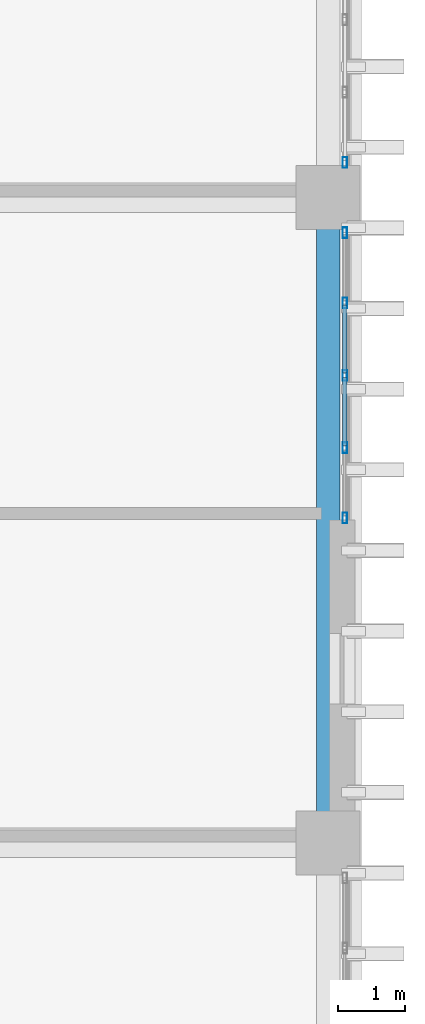
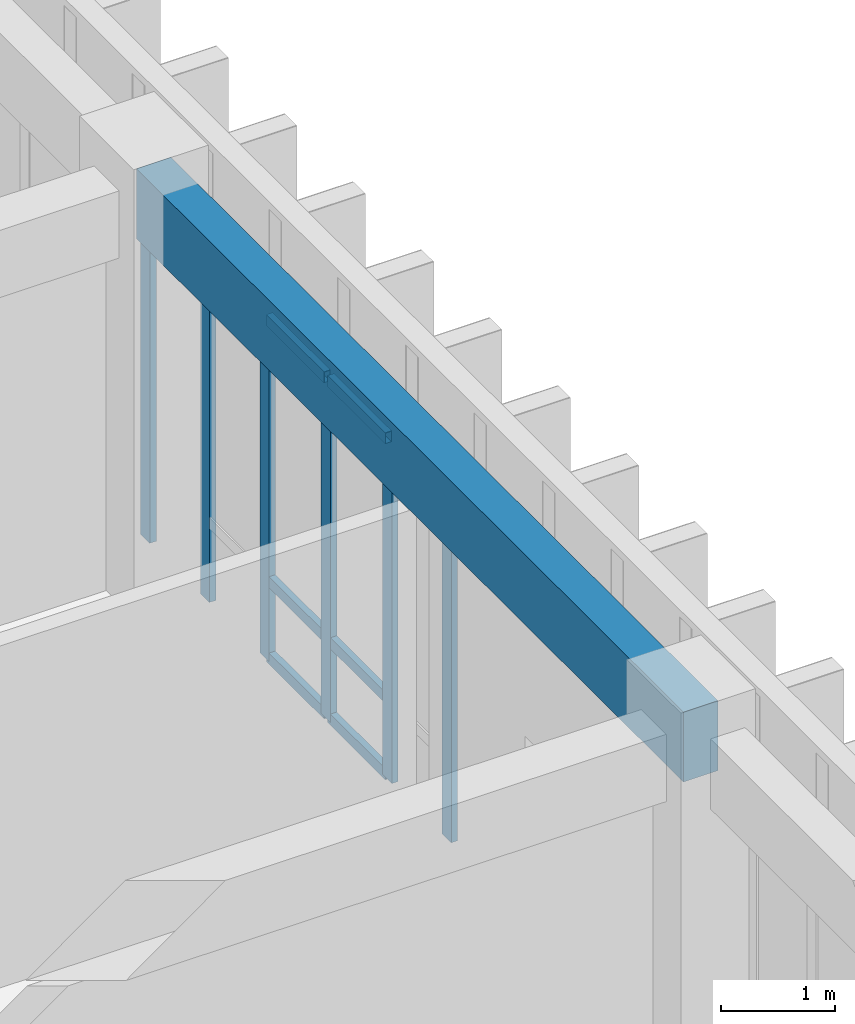
# One storey, part 69 of 133: 12 members, 1 beam, 2 elements without a shape of their own.
"""IFC4 building model written with IfcOpenShell, lengths in metres."""

from ifc_helpers import new_model, si_unit, direction, frame, origin, origin_2d, place, context, subcontext, project, spatial, rectangle, hollow_rectangle, extrude, material, layer, layer_set, material_profile, profile_set, type_object, element, aggregate, save


model = new_model("IFC4")

# Units and contexts
model_context = context("Model", 3, precision=1e-05, world=origin(), true_north=direction((0.0, 1.0)))
body_context = subcontext(model_context, "Body", "Model", "MODEL_VIEW")
ifc_project = project(units=[si_unit("LENGTHUNIT", "METRE"), si_unit("AREAUNIT", "SQUARE_METRE"), si_unit("VOLUMEUNIT", "CUBIC_METRE"), si_unit("PLANEANGLEUNIT", "RADIAN"), si_unit("MASSUNIT", "GRAM", prefix="KILO")], contexts=[model_context])

# Site, building, storey
site_placement = place(None, origin())
site = spatial("IfcSite", under=ifc_project, at=site_placement, CompositionType="ELEMENT")
building_placement = place(site_placement, origin())
building = spatial("IfcBuilding", under=site, at=building_placement, Name="Nakhvara Creek Congress Hotel", CompositionType="ELEMENT")
storey_placement = place(building_placement, frame((0.0, 0.0, 11.39990234375)))
storey = spatial("IfcBuildingStorey", under=building, at=storey_placement, Name="L02", CompositionType="ELEMENT", Elevation=11.39990234375)

# Beam
ifc_material_1 = material(Name="Concrete C40/50", Category="concrete")
ifc_material_profile_1 = material_profile(ifc_material_1, rectangle(XDim=0.35009765625, YDim=0.75, at=origin_2d()), Name="RC-SPANDREL 350x750", Category="LoadBearing")
ifc_profile_set_1 = profile_set([ifc_material_profile_1], Name="Concrete C40/50")
beam_type = type_object("IfcBeamType", Name="BM-SPN-350X750", PredefinedType="SPANDREL", material=ifc_profile_set_1)
beam_placement = place(storey_placement, frame((179.35009765625, 67.199951171875, 4.045166015625), z_axis=(0.0, 1.0, 0.0), x_axis=(-1.0, 0.0, 0.0)))
element("IfcBeam", 1, at=beam_placement, inside=storey, type_object=beam_type, Name="Beam SP1-L02-1658", PredefinedType="SPANDREL", context=body_context, shape_type="SweptSolid", body=[
    extrude(rectangle(XDim=0.35009765625, YDim=0.75, at=origin_2d()), origin(), (0.0, 0.0, 1.0), 9.60009765625),
])

# Curtain wall, members
ifc_material_2 = material(Name="Bronze-anodised aluminium AW-6063-T6 and double-silver low-E glass", Category="aluminium")
ifc_layer = layer(ifc_material_2, 0.199951171875)
ifc_layer_set = layer_set([ifc_layer], Name="Bronze-anodised aluminium AW-6063-T6 and double-silver low-E glass")
curtain_wall_type = type_object("IfcCurtainWallType", Name="CW-HTL-UNIT", PredefinedType="USERDEFINED", material=ifc_layer_set)
curtain_wall_1_placement = place(storey_placement, origin())
curtain_wall_1 = element("IfcCurtainWall", 2, at=curtain_wall_1_placement, inside=storey, type_object=curtain_wall_type, Name="Curtain Wall CW138", ObjectType="UNITISED", PredefinedType="USERDEFINED")
ifc_material_3 = material(Name="Bronze-anodised aluminium AW-6063-T6", Category="aluminium")
ifc_material_profile_2 = material_profile(ifc_material_3, hollow_rectangle(XDim=0.06494140625, YDim=0.159912109375, WallThickness=0.00390625, at=origin_2d()), Name="ALU-MULL 65x160x4", Category="LoadBearing")
ifc_profile_set_2 = profile_set([ifc_material_profile_2], Name="Bronze-anodised aluminium AW-6063-T6")
member_type_1 = type_object("IfcMemberType", Name="CW-MULL-160", PredefinedType="MULLION", material=ifc_profile_set_2)
member_1_placement = place(storey_placement, frame((179.60009765625, 76.277587890625, 0.0), z_axis=(0.0, 0.0, 1.0), x_axis=(1.0, 0.0, 0.0)))
member_1 = element("IfcMember", 3, at=member_1_placement, type_object=member_type_1, Name="CW138 mullion 1", PredefinedType="MULLION", context=body_context, shape_type="SweptSolid", body=[
    extrude(hollow_rectangle(XDim=0.06494140625, YDim=0.159912109375, WallThickness=0.00390625, at=origin_2d()), origin(), (0.0, 0.0, 1.0), 3.662109375),
])
member_2_placement = place(storey_placement, frame((179.60009765625, 75.232421875, 0.0), z_axis=(0.0, 0.0, 1.0), x_axis=(1.0, 0.0, 0.0)))
member_2 = element("IfcMember", 4, at=member_2_placement, type_object=member_type_1, Name="CW138 mullion 2", PredefinedType="MULLION", context=body_context, shape_type="SweptSolid", body=[
    extrude(hollow_rectangle(XDim=0.06494140625, YDim=0.159912109375, WallThickness=0.00390625, at=origin_2d()), origin(), (0.0, 0.0, 1.0), 3.662109375),
])
member_3_placement = place(storey_placement, frame((179.60009765625, 74.155029296875, 0.0), z_axis=(0.0, 0.0, 1.0), x_axis=(1.0, 0.0, 0.0)))
member_3 = element("IfcMember", 5, at=member_3_placement, type_object=member_type_1, Name="CW138 mullion 3", PredefinedType="MULLION", context=body_context, shape_type="SweptSolid", body=[
    extrude(hollow_rectangle(XDim=0.06494140625, YDim=0.159912109375, WallThickness=0.00390625, at=origin_2d()), origin(), (0.0, 0.0, 1.0), 3.662109375),
])
member_4_placement = place(storey_placement, frame((179.60009765625, 73.077392578125, 0.0), z_axis=(0.0, 0.0, 1.0), x_axis=(1.0, 0.0, 0.0)))
member_4 = element("IfcMember", 6, at=member_4_placement, type_object=member_type_1, Name="CW138 mullion 4", PredefinedType="MULLION", context=body_context, shape_type="SweptSolid", body=[
    extrude(hollow_rectangle(XDim=0.06494140625, YDim=0.159912109375, WallThickness=0.00390625, at=origin_2d()), origin(), (0.0, 0.0, 1.0), 3.662109375),
])
member_5_placement = place(storey_placement, frame((179.60009765625, 72.032470703125, 0.0), z_axis=(0.0, 0.0, 1.0), x_axis=(1.0, 0.0, 0.0)))
member_5 = element("IfcMember", 7, at=member_5_placement, type_object=member_type_1, Name="CW138 mullion 5", PredefinedType="MULLION", context=body_context, shape_type="SweptSolid", body=[
    extrude(hollow_rectangle(XDim=0.06494140625, YDim=0.159912109375, WallThickness=0.00390625, at=origin_2d()), origin(), (0.0, 0.0, 1.0), 3.662109375),
])

# Curtain wall, member
curtain_wall_2_placement = place(storey_placement, origin())
curtain_wall_2 = element("IfcCurtainWall", 8, at=curtain_wall_2_placement, inside=storey, type_object=curtain_wall_type, Name="Curtain Wall CW139", ObjectType="UNITISED", PredefinedType="USERDEFINED")
member_6_placement = place(storey_placement, frame((179.60009765625, 77.322509765625, 0.0), z_axis=(0.0, 0.0, 1.0), x_axis=(1.0, 0.0, 0.0)))
member_6 = element("IfcMember", 9, at=member_6_placement, type_object=member_type_1, Name="CW139 mullion 5", PredefinedType="MULLION", context=body_context, shape_type="SweptSolid", body=[
    extrude(hollow_rectangle(XDim=0.06494140625, YDim=0.159912109375, WallThickness=0.00390625, at=origin_2d()), origin(), (0.0, 0.0, 1.0), 3.662109375),
])
aggregate(curtain_wall_2, [member_6])

# Member
ifc_material_profile_3 = material_profile(ifc_material_3, hollow_rectangle(XDim=0.06494140625, YDim=0.1201171875, WallThickness=0.00390625, at=origin_2d()), Name="ALU-TRAN 65x120x4", Category="LoadBearing")
ifc_profile_set_3 = profile_set([ifc_material_profile_3], Name="Bronze-anodised aluminium AW-6063-T6")
member_type_2 = type_object("IfcMemberType", Name="CW-TRAN-120", PredefinedType="USERDEFINED", material=ifc_profile_set_3)
member_7_placement = place(storey_placement, frame((179.60009765625, 75.199951171875, 0.03271484375), z_axis=(0.0, -1.0, 0.0), x_axis=(1.0, 0.0, 0.0)))
member_7 = element("IfcMember", 10, at=member_7_placement, type_object=member_type_2, Name="CW138 transom 2.1", ObjectType="TRANSOM", PredefinedType="USERDEFINED", context=body_context, shape_type="SweptSolid", body=[
    extrude(hollow_rectangle(XDim=0.06494140625, YDim=0.1201171875, WallThickness=0.00390625, at=origin_2d()), origin(), (0.0, 0.0, 1.0), 1.012451171875),
])

member_8_placement = place(storey_placement, frame((179.60009765625, 75.199951171875, 0.85009765625), z_axis=(0.0, -1.0, 0.0), x_axis=(1.0, 0.0, 0.0)))
member_8 = element("IfcMember", 11, at=member_8_placement, type_object=member_type_2, Name="CW138 transom 2.2", ObjectType="TRANSOM", PredefinedType="USERDEFINED", context=body_context, shape_type="SweptSolid", body=[
    extrude(hollow_rectangle(XDim=0.06494140625, YDim=0.1201171875, WallThickness=0.00390625, at=origin_2d()), origin(), (0.0, 0.0, 1.0), 1.012451171875),
])

member_9_placement = place(storey_placement, frame((179.60009765625, 75.199951171875, 3.629638671875), z_axis=(0.0, -1.0, 0.0), x_axis=(1.0, 0.0, 0.0)))
member_9 = element("IfcMember", 12, at=member_9_placement, type_object=member_type_2, Name="CW138 transom 2.3", ObjectType="TRANSOM", PredefinedType="USERDEFINED", context=body_context, shape_type="SweptSolid", body=[
    extrude(hollow_rectangle(XDim=0.06494140625, YDim=0.1201171875, WallThickness=0.00390625, at=origin_2d()), origin(), (0.0, 0.0, 1.0), 1.012451171875),
])

member_10_placement = place(storey_placement, frame((179.60009765625, 74.12255859375, 0.03271484375), z_axis=(0.0, -1.0, 0.0), x_axis=(1.0, 0.0, 0.0)))
member_10 = element("IfcMember", 13, at=member_10_placement, type_object=member_type_2, Name="CW138 transom 3.1", ObjectType="TRANSOM", PredefinedType="USERDEFINED", context=body_context, shape_type="SweptSolid", body=[
    extrude(hollow_rectangle(XDim=0.06494140625, YDim=0.1201171875, WallThickness=0.00390625, at=origin_2d()), origin(), (0.0, 0.0, 1.0), 1.012451171875),
])

member_11_placement = place(storey_placement, frame((179.60009765625, 74.12255859375, 0.85009765625), z_axis=(0.0, -1.0, 0.0), x_axis=(1.0, 0.0, 0.0)))
member_11 = element("IfcMember", 14, at=member_11_placement, type_object=member_type_2, Name="CW138 transom 3.2", ObjectType="TRANSOM", PredefinedType="USERDEFINED", context=body_context, shape_type="SweptSolid", body=[
    extrude(hollow_rectangle(XDim=0.06494140625, YDim=0.1201171875, WallThickness=0.00390625, at=origin_2d()), origin(), (0.0, 0.0, 1.0), 1.012451171875),
])

member_12_placement = place(storey_placement, frame((179.60009765625, 74.12255859375, 3.629638671875), z_axis=(0.0, -1.0, 0.0), x_axis=(1.0, 0.0, 0.0)))
member_12 = element("IfcMember", 15, at=member_12_placement, type_object=member_type_2, Name="CW138 transom 3.3", ObjectType="TRANSOM", PredefinedType="USERDEFINED", context=body_context, shape_type="SweptSolid", body=[
    extrude(hollow_rectangle(XDim=0.06494140625, YDim=0.1201171875, WallThickness=0.00390625, at=origin_2d()), origin(), (0.0, 0.0, 1.0), 1.012451171875),
])

aggregate(curtain_wall_1, [member_1, member_2, member_3, member_4, member_5, member_7, member_8, member_9, member_10, member_11, member_12])

save(model, "model.ifc")
